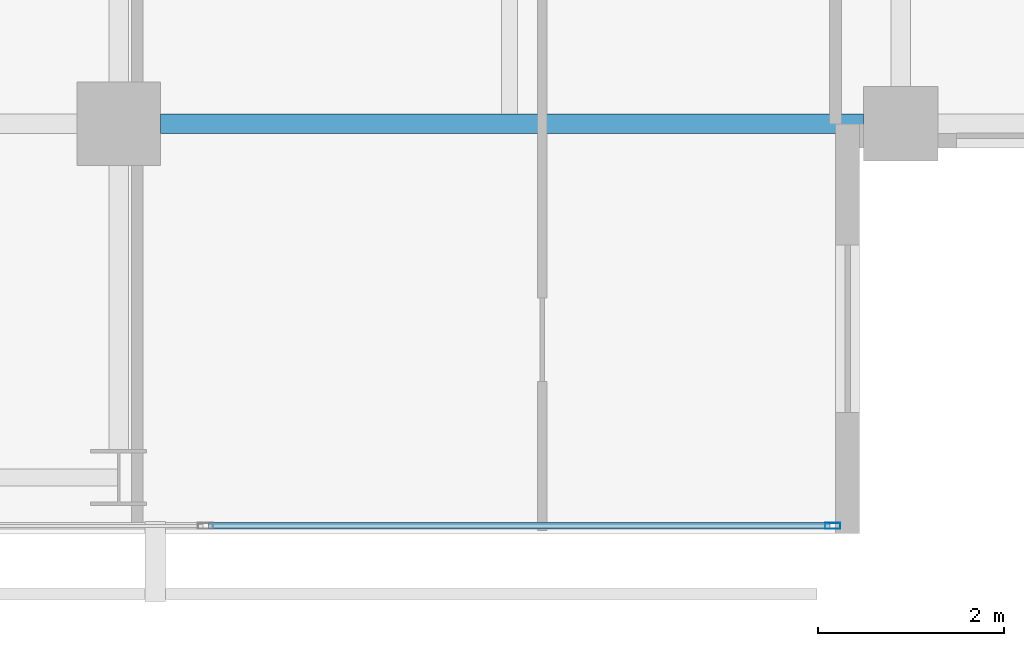
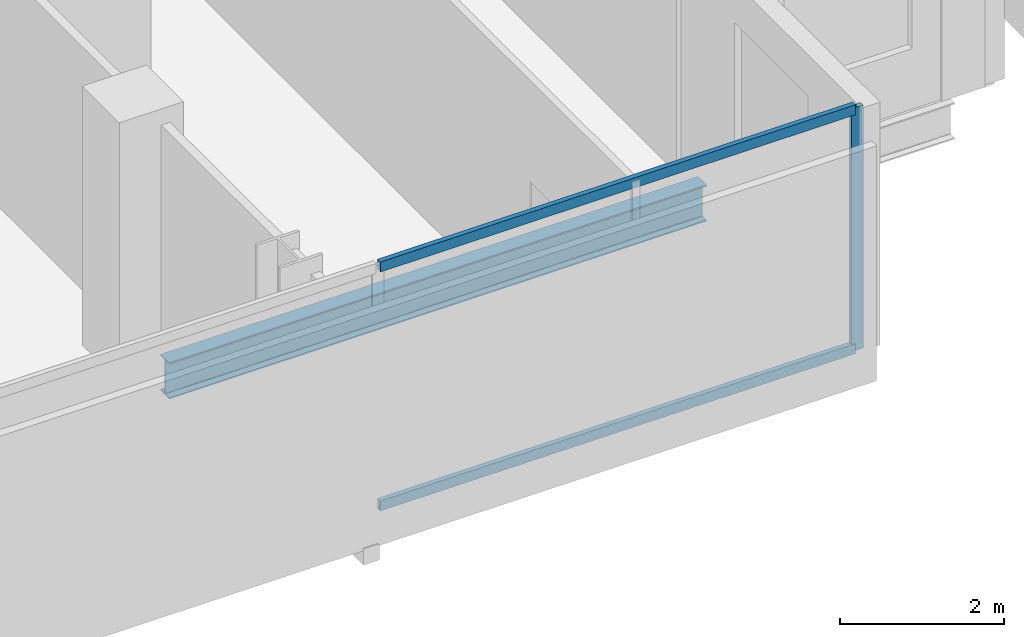
# One storey, part 13 of 34: 3 members, 1 beam, 1 element without a shape of its own.
"""IFC4 building model written with IfcOpenShell, lengths in metres."""

from ifc_helpers import new_model, si_unit, direction, frame, origin, origin_2d, place, context, subcontext, project, spatial, hollow_rectangle, i_section, extrude, material, layer, layer_set, material_profile, profile_set, type_object, element, aggregate, save


model = new_model("IFC4")

# Units and contexts
model_context = context("Model", 3, precision=1e-05, world=origin(), true_north=direction((0.0, 1.0)))
body_context = subcontext(model_context, "Body", "Model", "MODEL_VIEW")
ifc_project = project(units=[si_unit("LENGTHUNIT", "METRE"), si_unit("AREAUNIT", "SQUARE_METRE"), si_unit("VOLUMEUNIT", "CUBIC_METRE"), si_unit("PLANEANGLEUNIT", "RADIAN"), si_unit("MASSUNIT", "GRAM", prefix="KILO")], contexts=[model_context])

# Site, building, storey
site_placement = place(None, origin())
site = spatial("IfcSite", under=ifc_project, at=site_placement, CompositionType="ELEMENT")
building_placement = place(site_placement, origin())
building = spatial("IfcBuilding", under=site, at=building_placement, Name="Maruvema Waterfront Hotel and Observation Tower", CompositionType="ELEMENT")
storey_placement = place(building_placement, frame((0.0, 0.0, 208.25)))
storey = spatial("IfcBuildingStorey", under=building, at=storey_placement, Name="L51", CompositionType="ELEMENT", Elevation=208.25)

# Curtain wall, members
ifc_material_1 = material(Name="Anodised bronze aluminium and solar-control low-E IGU", Category="aluminium")
ifc_layer = layer(ifc_material_1, 0.159912109375, Name="Zone 2 Amber Inner Thermal Curtain Wall System CW-03")
ifc_layer_set = layer_set([ifc_layer], Name="Anodised bronze aluminium and solar-control low-E IGU")
curtain_wall_type = type_object("IfcCurtainWallType", Name="Zone 2 Amber Inner Thermal Curtain Wall System CW-03", PredefinedType="USERDEFINED", material=ifc_layer_set)
curtain_wall_placement = place(storey_placement, origin())
curtain_wall = element("IfcCurtainWall", 1, at=curtain_wall_placement, inside=storey, type_object=curtain_wall_type, Name="L51 Curtain Wall CW-L51-S", ObjectType="UNITISED CURTAIN WALL", PredefinedType="USERDEFINED")
ifc_material_2 = material(Name="Anodised architectural bronze aluminium", Category="aluminium")
ifc_material_profile_1 = material_profile(ifc_material_2, hollow_rectangle(XDim=0.070068359375, YDim=0.14990234375, WallThickness=0.00390625, at=origin_2d()), Name="ALU-T70x150")
ifc_profile_set_1 = profile_set([ifc_material_profile_1], Name="Anodised architectural bronze aluminium")
member_type_1 = type_object("IfcMemberType", Name="Curtain Wall Horizontal Transom ALU-T70x150", PredefinedType="USERDEFINED", material=ifc_profile_set_1)
member_1_placement = place(storey_placement, frame((51.36328125, 4.679931640625, 0.030029296875), z_axis=(1.0, 0.0, 0.0), x_axis=(0.0, 1.0, 0.0)))
member_1 = element("IfcMember", 2, at=member_1_placement, type_object=member_type_1, Name="CW-03 transom 6.1", ObjectType="TRANSOM", PredefinedType="USERDEFINED", context=body_context, shape_type="SweptSolid", body=[
    extrude(hollow_rectangle(XDim=0.070068359375, YDim=0.14990234375, WallThickness=0.00390625, at=origin_2d()), origin(), (0.0, 0.0, 1.0), 6.6767578125),
])
member_2_placement = place(storey_placement, frame((51.36328125, 4.679931640625, 3.580078125), z_axis=(1.0, 0.0, 0.0), x_axis=(0.0, 1.0, 0.0)))
member_2 = element("IfcMember", 3, at=member_2_placement, type_object=member_type_1, Name="CW-03 transom 6.2", ObjectType="TRANSOM", PredefinedType="USERDEFINED", context=body_context, shape_type="SweptSolid", body=[
    extrude(hollow_rectangle(XDim=0.070068359375, YDim=0.14990234375, WallThickness=0.00390625, at=origin_2d()), origin(), (0.0, 0.0, 1.0), 6.6767578125),
])
ifc_material_3 = material(Name="Anodised architectural bronze aluminium", Category="aluminium")
ifc_material_profile_2 = material_profile(ifc_material_3, hollow_rectangle(XDim=0.06494140625, YDim=0.1650390625, WallThickness=0.00390625, at=origin_2d()), Name="ALU-M65x165")
ifc_profile_set_2 = profile_set([ifc_material_profile_2], Name="Anodised architectural bronze aluminium")
member_type_2 = type_object("IfcMemberType", Name="Curtain Wall Primary Mullion ALU-M65x165", PredefinedType="MULLION", material=ifc_profile_set_2)
member_3_placement = place(storey_placement, frame((58.070068359375, 4.679931640625, 0.0), z_axis=(0.0, 0.0, 1.0), x_axis=(0.0, 1.0, 0.0)))
member_3 = element("IfcMember", 4, at=member_3_placement, type_object=member_type_2, Name="CW-03 mullion 7", PredefinedType="MULLION", context=body_context, shape_type="SweptSolid", body=[
    extrude(hollow_rectangle(XDim=0.06494140625, YDim=0.1650390625, WallThickness=0.00390625, at=origin_2d()), origin(), (0.0, 0.0, 1.0), 3.610107421875),
])
aggregate(curtain_wall, [member_3, member_1, member_2])

# Beam
ifc_material_4 = material(Name="Steel ASTM A572 Grade 50", Category="steel")
ifc_material_profile_3 = material_profile(ifc_material_4, i_section(OverallWidth=0.2109375, OverallDepth=0.5390625, WebThickness=0.01171875, FlangeThickness=0.018798828125, FilletRadius=0.014892578125, at=origin_2d()), Name="W530x109.0")
ifc_profile_set_3 = profile_set([ifc_material_profile_3], Name="Steel ASTM A572 Grade 50")
beam_type = type_object("IfcBeamType", Name="Primary Floor Girder W530x109.0", PredefinedType="BEAM", material=ifc_profile_set_3)
beam_placement = place(storey_placement, frame((50.85009765625, 9.0, -0.509521484375), z_axis=(1.0, 0.0, 0.0), x_axis=(0.0, 1.0, 0.0)))
element("IfcBeam", 5, at=beam_placement, inside=storey, type_object=beam_type, Name="L51 Floor Girder EW-09", PredefinedType="BEAM", context=body_context, shape_type="SweptSolid", body=[
    extrude(i_section(OverallWidth=0.2109375, OverallDepth=0.5390625, WebThickness=0.01171875, FlangeThickness=0.018798828125, FilletRadius=0.014892578125, at=origin_2d()), origin(), (0.0, 0.0, 1.0), 7.5498046875),
])

save(model, "model.ifc")
